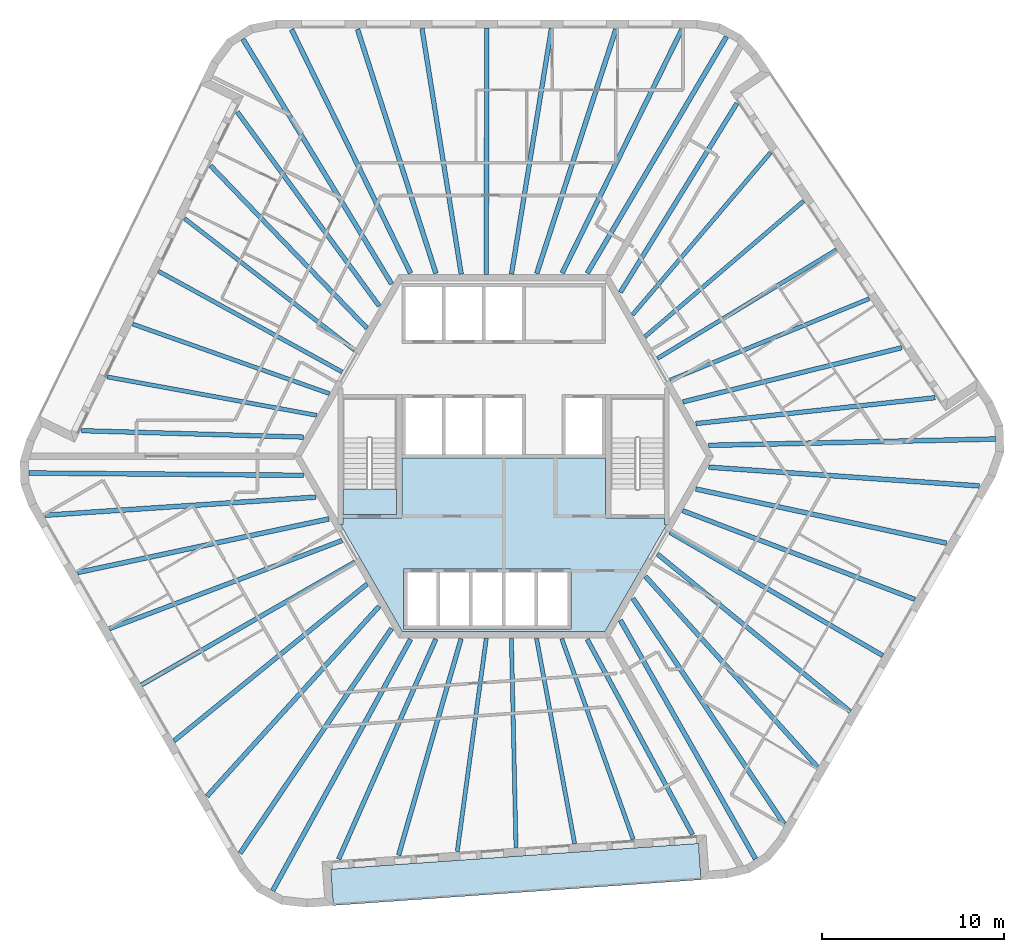
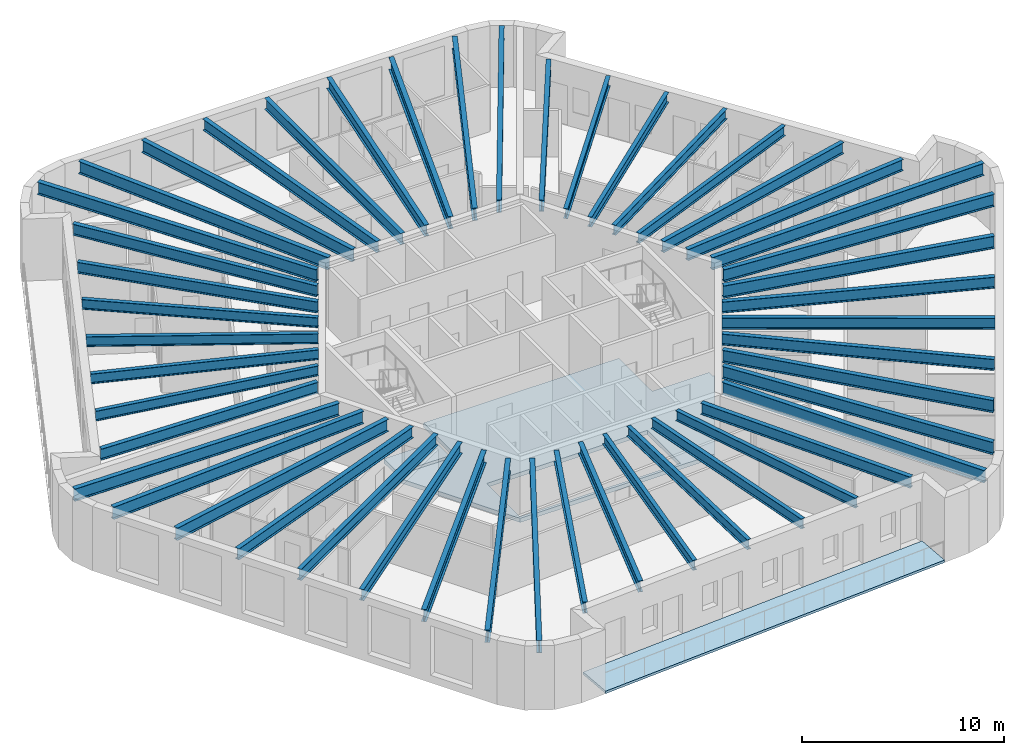
# One storey, part 1 of 11: 48 beams, 3 slabs.
"""IFC4 building model written with IfcOpenShell, lengths in metres."""

from ifc_helpers import new_model, si_unit, direction, frame, origin, origin_2d, place, context, subcontext, project, spatial, polyline, i_section, outline, extrude, material, layer, layer_set, material_profile, profile_set, type_object, element, save


model = new_model("IFC4")

# Units and contexts
model_context = context("Model", 3, precision=1e-05, world=origin(), true_north=direction((0.0, 1.0)))
body_context = subcontext(model_context, "Body", "Model", "MODEL_VIEW")
ifc_project = project(units=[si_unit("LENGTHUNIT", "METRE"), si_unit("AREAUNIT", "SQUARE_METRE"), si_unit("VOLUMEUNIT", "CUBIC_METRE"), si_unit("PLANEANGLEUNIT", "RADIAN"), si_unit("MASSUNIT", "GRAM", prefix="KILO")], contexts=[model_context])

# Site, building, storey
site_placement = place(None, origin())
site = spatial("IfcSite", under=ifc_project, at=site_placement, CompositionType="ELEMENT")
building_placement = place(site_placement, origin())
building = spatial("IfcBuilding", under=site, at=building_placement, Name="Tarnside Tower", CompositionType="ELEMENT")
storey_placement = place(building_placement, frame((0.0, 0.0, 357.300048828125)))
storey = spatial("IfcBuildingStorey", under=building, at=storey_placement, Name="L86", CompositionType="ELEMENT", Elevation=357.300048828125)

# Beams
ifc_material_1 = material(Name="Steel S355", Category="steel")
ifc_material_profile_1 = material_profile(ifc_material_1, i_section(OverallWidth=0.228271484375, OverallDepth=0.607666015625, WebThickness=0.010986328125, FlangeThickness=0.017333984375, FilletRadius=0.0126953125, at=origin_2d()), Name="UB 610x229x113")
ifc_profile_set_1 = profile_set([ifc_material_profile_1], Name="Steel S355")
beam_type_1 = type_object("IfcBeamType", Name="Floor beam UB 610x229x113", PredefinedType="BEAM", material=ifc_profile_set_1)
beam_1_placement = place(storey_placement, frame((-17.5537109375, 13.079345703125, 3.446044921875), z_axis=(0.790645071634, -0.612274750991, 0.0), x_axis=(0.612274750991, 0.790645071634, 0.0)))
element("IfcBeam", 1, at=beam_1_placement, inside=storey, type_object=beam_type_1, Name="Floor beam F2.03", PredefinedType="BEAM", context=body_context, shape_type="SweptSolid", body=[
    extrude(i_section(OverallWidth=0.228271484375, OverallDepth=0.607666015625, WebThickness=0.010986328125, FlangeThickness=0.017333984375, FilletRadius=0.0126953125, at=origin_2d()), origin(), (0.0, 0.0, 1.0), 11.829833984375),
])
beam_2_placement = place(storey_placement, frame((-18.98974609375, 10.1787109375, 3.446044921875), z_axis=(0.876798859106, -0.480857318412, 0.0), x_axis=(0.480857318412, 0.876798859106, 0.0)))
element("IfcBeam", 2, at=beam_2_placement, inside=storey, type_object=beam_type_1, Name="Floor beam F2.04", PredefinedType="BEAM", context=body_context, shape_type="SweptSolid", body=[
    extrude(i_section(OverallWidth=0.228271484375, OverallDepth=0.607666015625, WebThickness=0.010986328125, FlangeThickness=0.017333984375, FilletRadius=0.0126953125, at=origin_2d()), origin(), (0.0, 0.0, 1.0), 11.517578125),
])
beam_3_placement = place(storey_placement, frame((-20.408203125, 7.27099609375, 3.446044921875), z_axis=(0.942835979757, -0.33325713087, 0.0), x_axis=(0.33325713087, 0.942835979757, 0.0)))
element("IfcBeam", 3, at=beam_3_placement, inside=storey, type_object=beam_type_1, Name="Floor beam F2.05", PredefinedType="BEAM", context=body_context, shape_type="SweptSolid", body=[
    extrude(i_section(OverallWidth=0.228271484375, OverallDepth=0.607666015625, WebThickness=0.010986328125, FlangeThickness=0.017333984375, FilletRadius=0.0126953125, at=origin_2d()), origin(), (0.0, 0.0, 1.0), 11.4833984375),
])
beam_4_placement = place(storey_placement, frame((-21.80517578125, 4.3642578125, 3.446044921875), z_axis=(0.983583368825, -0.180454306048, 0.0), x_axis=(0.180454306048, 0.983583368825, 0.0)))
element("IfcBeam", 4, at=beam_4_placement, inside=storey, type_object=beam_type_1, Name="Floor beam F2.06", PredefinedType="BEAM", context=body_context, shape_type="SweptSolid", body=[
    extrude(i_section(OverallWidth=0.228271484375, OverallDepth=0.607666015625, WebThickness=0.010986328125, FlangeThickness=0.017333984375, FilletRadius=0.0126953125, at=origin_2d()), origin(), (0.0, 0.0, 1.0), 11.706787109375),
])
beam_5_placement = place(storey_placement, frame((-2.550048828125, -21.74169921875, 3.446044921875), z_axis=(0.134905991625, 0.990858402308, 0.0), x_axis=(-0.990858402308, 0.134905991625, 0.0)))
element("IfcBeam", 5, at=beam_5_placement, inside=storey, type_object=beam_type_1, Name="Floor beam F4.03", PredefinedType="BEAM", context=body_context, shape_type="SweptSolid", body=[
    extrude(i_section(OverallWidth=0.228271484375, OverallDepth=0.607666015625, WebThickness=0.010986328125, FlangeThickness=0.017333984375, FilletRadius=0.0126953125, at=origin_2d()), origin(), (0.0, 0.0, 1.0), 11.830078125),
])
beam_6_placement = place(storey_placement, frame((0.6796875, -21.53515625, 3.446044921875), z_axis=(-0.021959678074, 0.999758857195, 0.0), x_axis=(-0.999758857195, -0.021959678074, 0.0)))
element("IfcBeam", 6, at=beam_6_placement, inside=storey, type_object=beam_type_1, Name="Floor beam F4.04", PredefinedType="BEAM", context=body_context, shape_type="SweptSolid", body=[
    extrude(i_section(OverallWidth=0.228271484375, OverallDepth=0.607666015625, WebThickness=0.010986328125, FlangeThickness=0.017333984375, FilletRadius=0.0126953125, at=origin_2d()), origin(), (0.0, 0.0, 1.0), 11.517822265625),
])
beam_7_placement = place(storey_placement, frame((3.9072265625, -21.3095703125, 3.446044921875), z_axis=(-0.182818550439, 0.983146671466, 0.0), x_axis=(-0.983146671466, -0.182818550439, 0.0)))
element("IfcBeam", 7, at=beam_7_placement, inside=storey, type_object=beam_type_1, Name="Floor beam F4.05", PredefinedType="BEAM", context=body_context, shape_type="SweptSolid", body=[
    extrude(i_section(OverallWidth=0.228271484375, OverallDepth=0.607666015625, WebThickness=0.010986328125, FlangeThickness=0.017333984375, FilletRadius=0.0126953125, at=origin_2d()), origin(), (0.0, 0.0, 1.0), 11.4833984375),
])
beam_8_placement = place(storey_placement, frame((7.123046875, -21.06591796875, 3.446044921875), z_axis=(-0.335506617396, 0.94203784939, 0.0), x_axis=(-0.94203784939, -0.335506617396, 0.0)))
element("IfcBeam", 8, at=beam_8_placement, inside=storey, type_object=beam_type_1, Name="Floor beam F4.06", PredefinedType="BEAM", context=body_context, shape_type="SweptSolid", body=[
    extrude(i_section(OverallWidth=0.228271484375, OverallDepth=0.607666015625, WebThickness=0.010986328125, FlangeThickness=0.017333984375, FilletRadius=0.0126953125, at=origin_2d()), origin(), (0.0, 0.0, 1.0), 11.706787109375),
])
beam_9_placement = place(storey_placement, frame((20.10400390625, 8.662353515625, 3.446044921875), z_axis=(-0.925563720848, -0.378591862895, 0.0), x_axis=(0.378591862895, -0.925563720848, 0.0)))
element("IfcBeam", 9, at=beam_9_placement, inside=storey, type_object=beam_type_1, Name="Floor beam F6.03", PredefinedType="BEAM", context=body_context, shape_type="SweptSolid", body=[
    extrude(i_section(OverallWidth=0.228271484375, OverallDepth=0.607666015625, WebThickness=0.010986328125, FlangeThickness=0.017333984375, FilletRadius=0.0126953125, at=origin_2d()), origin(), (0.0, 0.0, 1.0), 11.830078125),
])
beam_10_placement = place(storey_placement, frame((18.31005859375, 11.356201171875, 3.446044921875), z_axis=(-0.854838892612, -0.518893503214, 0.0), x_axis=(0.518893503214, -0.854838892612, 0.0)))
element("IfcBeam", 10, at=beam_10_placement, inside=storey, type_object=beam_type_1, Name="Floor beam F6.04", PredefinedType="BEAM", context=body_context, shape_type="SweptSolid", body=[
    extrude(i_section(OverallWidth=0.228271484375, OverallDepth=0.607666015625, WebThickness=0.010986328125, FlangeThickness=0.017333984375, FilletRadius=0.0126953125, at=origin_2d()), origin(), (0.0, 0.0, 1.0), 11.517822265625),
])
beam_11_placement = place(storey_placement, frame((16.5009765625, 14.03857421875, 3.446044921875), z_axis=(-0.760013955451, -0.649906752942, 0.0), x_axis=(0.649906752942, -0.760013955451, 0.0)))
element("IfcBeam", 11, at=beam_11_placement, inside=storey, type_object=beam_type_1, Name="Floor beam F6.05", PredefinedType="BEAM", context=body_context, shape_type="SweptSolid", body=[
    extrude(i_section(OverallWidth=0.228271484375, OverallDepth=0.607666015625, WebThickness=0.010986328125, FlangeThickness=0.017333984375, FilletRadius=0.0126953125, at=origin_2d()), origin(), (0.0, 0.0, 1.0), 11.4833984375),
])
beam_12_placement = place(storey_placement, frame((14.68212890625, 16.70166015625, 3.446044921875), z_axis=(-0.648070250912, -0.761580560337, 0.0), x_axis=(0.761580560337, -0.648070250912, 0.0)))
element("IfcBeam", 12, at=beam_12_placement, inside=storey, type_object=beam_type_1, Name="Floor beam F6.06", PredefinedType="BEAM", context=body_context, shape_type="SweptSolid", body=[
    extrude(i_section(OverallWidth=0.228271484375, OverallDepth=0.607666015625, WebThickness=0.010986328125, FlangeThickness=0.017333984375, FilletRadius=0.0126953125, at=origin_2d()), origin(), (0.0, 0.0, 1.0), 11.70703125),
])
ifc_material_profile_2 = material_profile(ifc_material_1, i_section(OverallWidth=0.2529296875, OverallDepth=0.677978515625, WebThickness=0.01171875, FlangeThickness=0.01611328125, FilletRadius=0.01513671875, at=origin_2d()), Name="UB 686x254x125")
ifc_profile_set_2 = profile_set([ifc_material_profile_2], Name="Steel S355")
beam_type_2 = type_object("IfcBeamType", Name="Floor beam UB 686x254x125", PredefinedType="BEAM", material=ifc_profile_set_2)
beam_13_placement = place(storey_placement, frame((2.628662109375, 23.5302734375, 3.410888671875), z_axis=(-0.160646508519, -0.987012005652, 0.0), x_axis=(0.987012005652, -0.160646508519, 0.0)))
element("IfcBeam", 13, at=beam_13_placement, inside=storey, type_object=beam_type_2, Name="Floor beam F1.03", PredefinedType="BEAM", context=body_context, shape_type="SweptSolid", body=[
    extrude(i_section(OverallWidth=0.2529296875, OverallDepth=0.677978515625, WebThickness=0.01171875, FlangeThickness=0.01611328125, FilletRadius=0.01513671875, at=origin_2d()), origin(), (0.0, 0.0, 1.0), 13.688232421875),
])
beam_14_placement = place(storey_placement, frame((-0.931884765625, 23.550048828125, 3.410888671875), z_axis=(-0.001441413973, -0.999998961162, 0.0), x_axis=(0.999998961162, -0.001441413973, 0.0)))
element("IfcBeam", 14, at=beam_14_placement, inside=storey, type_object=beam_type_2, Name="Floor beam F1.04", PredefinedType="BEAM", context=body_context, shape_type="SweptSolid", body=[
    extrude(i_section(OverallWidth=0.2529296875, OverallDepth=0.677978515625, WebThickness=0.01171875, FlangeThickness=0.01611328125, FilletRadius=0.01513671875, at=origin_2d()), origin(), (0.0, 0.0, 1.0), 13.550048828125),
])
beam_15_placement = place(storey_placement, frame((-4.492431640625, 23.5302734375, 3.410888671875), z_axis=(0.157881934136, -0.987457996511, 0.0), x_axis=(0.987457996511, 0.157881934136, 0.0)))
element("IfcBeam", 15, at=beam_15_placement, inside=storey, type_object=beam_type_2, Name="Floor beam F1.05", PredefinedType="BEAM", context=body_context, shape_type="SweptSolid", body=[
    extrude(i_section(OverallWidth=0.2529296875, OverallDepth=0.677978515625, WebThickness=0.01171875, FlangeThickness=0.01611328125, FilletRadius=0.01513671875, at=origin_2d()), origin(), (0.0, 0.0, 1.0), 13.68212890625),
])
beam_16_placement = place(storey_placement, frame((-14.657470703125, 18.94580078125, 3.410888671875), z_axis=(0.590284711171, -0.807195118765, 0.0), x_axis=(0.807195118765, 0.590284711171, 0.0)))
element("IfcBeam", 16, at=beam_16_placement, inside=storey, type_object=beam_type_2, Name="Floor beam F2.01", PredefinedType="BEAM", context=body_context, shape_type="SweptSolid", body=[
    extrude(i_section(OverallWidth=0.2529296875, OverallDepth=0.677978515625, WebThickness=0.01171875, FlangeThickness=0.01611328125, FilletRadius=0.01513671875, at=origin_2d()), origin(), (0.0, 0.0, 1.0), 13.23974609375),
])
beam_17_placement = place(storey_placement, frame((-16.119873046875, 15.980224609375, 3.410888671875), z_axis=(0.693349119992, -0.720601830283, 0.0), x_axis=(0.720601830283, 0.693349119992, 0.0)))
element("IfcBeam", 17, at=beam_17_placement, inside=storey, type_object=beam_type_2, Name="Floor beam F2.02", PredefinedType="BEAM", context=body_context, shape_type="SweptSolid", body=[
    extrude(i_section(OverallWidth=0.2529296875, OverallDepth=0.677978515625, WebThickness=0.01171875, FlangeThickness=0.01611328125, FilletRadius=0.01513671875, at=origin_2d()), origin(), (0.0, 0.0, 1.0), 12.3984375),
])
beam_18_placement = place(storey_placement, frame((-23.22998046875, 1.406005859375, 3.410888671875), z_axis=(0.99958400974, -0.028841072664, 0.0), x_axis=(0.028841072664, 0.99958400974, 0.0)))
element("IfcBeam", 18, at=beam_18_placement, inside=storey, type_object=beam_type_2, Name="Floor beam F2.07", PredefinedType="BEAM", context=body_context, shape_type="SweptSolid", body=[
    extrude(i_section(OverallWidth=0.2529296875, OverallDepth=0.677978515625, WebThickness=0.01171875, FlangeThickness=0.01611328125, FilletRadius=0.01513671875, at=origin_2d()), origin(), (0.0, 0.0, 1.0), 12.215087890625),
])
beam_19_placement = place(storey_placement, frame((-21.692138671875, -9.48876953125, 3.410888671875), z_axis=(0.935097216102, 0.354391304124, 0.0), x_axis=(-0.354391304124, 0.935097216102, 0.0)))
element("IfcBeam", 19, at=beam_19_placement, inside=storey, type_object=beam_type_2, Name="Floor beam F3.03", PredefinedType="BEAM", context=body_context, shape_type="SweptSolid", body=[
    extrude(i_section(OverallWidth=0.2529296875, OverallDepth=0.677978515625, WebThickness=0.01171875, FlangeThickness=0.01611328125, FilletRadius=0.01513671875, at=origin_2d()), origin(), (0.0, 0.0, 1.0), 13.6884765625),
])
beam_20_placement = place(storey_placement, frame((-19.928955078125, -12.58203125, 3.410888671875), z_axis=(0.866745672107, 0.49875037833, 0.0), x_axis=(-0.49875037833, 0.866745672107, 0.0)))
element("IfcBeam", 20, at=beam_20_placement, inside=storey, type_object=beam_type_2, Name="Floor beam F3.04", PredefinedType="BEAM", context=body_context, shape_type="SweptSolid", body=[
    extrude(i_section(OverallWidth=0.2529296875, OverallDepth=0.677978515625, WebThickness=0.01171875, FlangeThickness=0.01611328125, FilletRadius=0.01513671875, at=origin_2d()), origin(), (0.0, 0.0, 1.0), 13.550048828125),
])
beam_21_placement = place(storey_placement, frame((-18.131591796875, -15.65576171875, 3.410888671875), z_axis=(0.77622369633, 0.630457590371, 0.0), x_axis=(-0.630457590371, 0.77622369633, 0.0)))
element("IfcBeam", 21, at=beam_21_placement, inside=storey, type_object=beam_type_2, Name="Floor beam F3.05", PredefinedType="BEAM", context=body_context, shape_type="SweptSolid", body=[
    extrude(i_section(OverallWidth=0.2529296875, OverallDepth=0.677978515625, WebThickness=0.01171875, FlangeThickness=0.01611328125, FilletRadius=0.01513671875, at=origin_2d()), origin(), (0.0, 0.0, 1.0), 13.68212890625),
])
beam_22_placement = place(storey_placement, frame((-9.078857421875, -22.16650390625, 3.410888671875), z_axis=(0.403913038749, 0.914797385834, 0.0), x_axis=(-0.914797385834, 0.403913038749, 0.0)))
element("IfcBeam", 22, at=beam_22_placement, inside=storey, type_object=beam_type_2, Name="Floor beam F4.01", PredefinedType="BEAM", context=body_context, shape_type="SweptSolid", body=[
    extrude(i_section(OverallWidth=0.2529296875, OverallDepth=0.677978515625, WebThickness=0.01171875, FlangeThickness=0.01611328125, FilletRadius=0.01513671875, at=origin_2d()), origin(), (0.0, 0.0, 1.0), 13.239501953125),
])
beam_23_placement = place(storey_placement, frame((-5.779296875, -21.9501953125, 3.410888671875), z_axis=(0.277391022539, 0.960757108022, 0.0), x_axis=(-0.960757108022, 0.277391022539, 0.0)))
element("IfcBeam", 23, at=beam_23_placement, inside=storey, type_object=beam_type_2, Name="Floor beam F4.02", PredefinedType="BEAM", context=body_context, shape_type="SweptSolid", body=[
    extrude(i_section(OverallWidth=0.2529296875, OverallDepth=0.677978515625, WebThickness=0.01171875, FlangeThickness=0.01611328125, FilletRadius=0.01513671875, at=origin_2d()), origin(), (0.0, 0.0, 1.0), 12.3984375),
])
beam_24_placement = place(storey_placement, frame((10.3974609375, -20.82080078125, 3.410888671875), z_axis=(-0.474802871876, 0.880092172933, 0.0), x_axis=(-0.880092172933, -0.474802871876, 0.0)))
element("IfcBeam", 24, at=beam_24_placement, inside=storey, type_object=beam_type_2, Name="Floor beam F4.07", PredefinedType="BEAM", context=body_context, shape_type="SweptSolid", body=[
    extrude(i_section(OverallWidth=0.2529296875, OverallDepth=0.677978515625, WebThickness=0.01171875, FlangeThickness=0.01611328125, FilletRadius=0.01513671875, at=origin_2d()), origin(), (0.0, 0.0, 1.0), 12.215087890625),
])
beam_25_placement = place(storey_placement, frame((19.0634765625, -14.04150390625, 3.410888671875), z_axis=(-0.774448963371, 0.632636390934, 0.0), x_axis=(-0.632636390934, -0.774448963371, 0.0)))
element("IfcBeam", 25, at=beam_25_placement, inside=storey, type_object=beam_type_2, Name="Floor beam F5.03", PredefinedType="BEAM", context=body_context, shape_type="SweptSolid", body=[
    extrude(i_section(OverallWidth=0.2529296875, OverallDepth=0.677978515625, WebThickness=0.01171875, FlangeThickness=0.01611328125, FilletRadius=0.01513671875, at=origin_2d()), origin(), (0.0, 0.0, 1.0), 13.688232421875),
])
beam_26_placement = place(storey_placement, frame((20.86083984375, -10.968017578125, 3.410888671875), z_axis=(-0.865300844595, 0.501252878639, 0.0), x_axis=(-0.501252878639, -0.865300844595, 0.0)))
element("IfcBeam", 26, at=beam_26_placement, inside=storey, type_object=beam_type_2, Name="Floor beam F5.04", PredefinedType="BEAM", context=body_context, shape_type="SweptSolid", body=[
    extrude(i_section(OverallWidth=0.2529296875, OverallDepth=0.677978515625, WebThickness=0.01171875, FlangeThickness=0.01611328125, FilletRadius=0.01513671875, at=origin_2d()), origin(), (0.0, 0.0, 1.0), 13.550048828125),
])
beam_27_placement = place(storey_placement, frame((22.6240234375, -7.87451171875, 3.410888671875), z_axis=(-0.934104171069, 0.357000556851, 0.0), x_axis=(-0.357000556851, -0.934104171069, 0.0)))
element("IfcBeam", 27, at=beam_27_placement, inside=storey, type_object=beam_type_2, Name="Floor beam F5.05", PredefinedType="BEAM", context=body_context, shape_type="SweptSolid", body=[
    extrude(i_section(OverallWidth=0.2529296875, OverallDepth=0.677978515625, WebThickness=0.01171875, FlangeThickness=0.01611328125, FilletRadius=0.01513671875, at=origin_2d()), origin(), (0.0, 0.0, 1.0), 13.68212890625),
])
beam_28_placement = place(storey_placement, frame((23.736083984375, 3.220703125, 3.410888671875), z_axis=(-0.994194525567, -0.107597608396, 0.0), x_axis=(0.107597608396, -0.994194525567, 0.0)))
element("IfcBeam", 28, at=beam_28_placement, inside=storey, type_object=beam_type_2, Name="Floor beam F6.01", PredefinedType="BEAM", context=body_context, shape_type="SweptSolid", body=[
    extrude(i_section(OverallWidth=0.2529296875, OverallDepth=0.677978515625, WebThickness=0.01171875, FlangeThickness=0.01611328125, FilletRadius=0.01513671875, at=origin_2d()), origin(), (0.0, 0.0, 1.0), 13.23974609375),
])
beam_29_placement = place(storey_placement, frame((21.899169921875, 5.969970703125, 3.410888671875), z_axis=(-0.970734945262, -0.240153421892, 0.0), x_axis=(0.240153421892, -0.970734945262, 0.0)))
element("IfcBeam", 29, at=beam_29_placement, inside=storey, type_object=beam_type_2, Name="Floor beam F6.02", PredefinedType="BEAM", context=body_context, shape_type="SweptSolid", body=[
    extrude(i_section(OverallWidth=0.2529296875, OverallDepth=0.677978515625, WebThickness=0.01171875, FlangeThickness=0.01611328125, FilletRadius=0.01513671875, at=origin_2d()), origin(), (0.0, 0.0, 1.0), 12.3984375),
])
beam_30_placement = place(storey_placement, frame((12.83251953125, 19.414794921875, 3.410888671875), z_axis=(-0.524775269126, -0.851240810179, 0.0), x_axis=(0.851240810179, -0.524775269126, 0.0)))
element("IfcBeam", 30, at=beam_30_placement, inside=storey, type_object=beam_type_2, Name="Floor beam F6.07", PredefinedType="BEAM", context=body_context, shape_type="SweptSolid", body=[
    extrude(i_section(OverallWidth=0.2529296875, OverallDepth=0.677978515625, WebThickness=0.01171875, FlangeThickness=0.01611328125, FilletRadius=0.01513671875, at=origin_2d()), origin(), (0.0, 0.0, 1.0), 12.215087890625),
])
ifc_material_profile_3 = material_profile(ifc_material_1, i_section(OverallWidth=0.26513671875, OverallDepth=0.75390625, WebThickness=0.0126953125, FlangeThickness=0.017578125, FilletRadius=0.0166015625, at=origin_2d()), Name="UB 762x267x147")
ifc_profile_set_3 = profile_set([ifc_material_profile_3], Name="Steel S355")
beam_type_3 = type_object("IfcBeamType", Name="Floor beam UB 762x267x147", PredefinedType="BEAM", material=ifc_profile_set_3)
beam_31_placement = place(storey_placement, frame((9.805419921875, 23.478271484375, 3.373046875), z_axis=(-0.441038082116, -0.897488389966, 0.0), x_axis=(0.897488389966, -0.441038082116, 0.0)))
element("IfcBeam", 31, at=beam_31_placement, inside=storey, type_object=beam_type_3, Name="Floor beam F1.01", PredefinedType="BEAM", context=body_context, shape_type="SweptSolid", body=[
    extrude(i_section(OverallWidth=0.26513671875, OverallDepth=0.75390625, WebThickness=0.0126953125, FlangeThickness=0.017578125, FilletRadius=0.0166015625, at=origin_2d()), origin(), (0.0, 0.0, 1.0), 14.937744140625),
])
beam_32_placement = place(storey_placement, frame((6.177001953125, 23.492919921875, 3.373046875), z_axis=(-0.308308550255, -0.951286412097, 0.0), x_axis=(0.951286412097, -0.308308550255, 0.0)))
element("IfcBeam", 32, at=beam_32_placement, inside=storey, type_object=beam_type_3, Name="Floor beam F1.02", PredefinedType="BEAM", context=body_context, shape_type="SweptSolid", body=[
    extrude(i_section(OverallWidth=0.26513671875, OverallDepth=0.75390625, WebThickness=0.0126953125, FlangeThickness=0.017578125, FilletRadius=0.0166015625, at=origin_2d()), origin(), (0.0, 0.0, 1.0), 14.123779296875),
])
beam_33_placement = place(storey_placement, frame((-8.041015625, 23.492919921875, 3.373046875), z_axis=(0.305833892652, -0.952084885977, 0.0), x_axis=(0.952084885977, 0.305833892652, 0.0)))
element("IfcBeam", 33, at=beam_33_placement, inside=storey, type_object=beam_type_3, Name="Floor beam F1.06", PredefinedType="BEAM", context=body_context, shape_type="SweptSolid", body=[
    extrude(i_section(OverallWidth=0.26513671875, OverallDepth=0.75390625, WebThickness=0.0126953125, FlangeThickness=0.017578125, FilletRadius=0.0166015625, at=origin_2d()), origin(), (0.0, 0.0, 1.0), 14.112060546875),
])
beam_34_placement = place(storey_placement, frame((-11.66943359375, 23.47802734375, 3.373046875), z_axis=(0.438980621391, -0.898496529789, 0.0), x_axis=(0.898496529789, 0.438980621391, 0.0)))
element("IfcBeam", 34, at=beam_34_placement, inside=storey, type_object=beam_type_3, Name="Floor beam F1.07", PredefinedType="BEAM", context=body_context, shape_type="SweptSolid", body=[
    extrude(i_section(OverallWidth=0.26513671875, OverallDepth=0.75390625, WebThickness=0.0126953125, FlangeThickness=0.017578125, FilletRadius=0.0166015625, at=origin_2d()), origin(), (0.0, 0.0, 1.0), 14.92041015625),
])
beam_35_placement = place(storey_placement, frame((-14.346435546875, 22.95361328125, 3.373046875), z_axis=(0.519050027983, -0.854743861312, 0.0), x_axis=(0.854743861312, 0.519050027983, 0.0)))
element("IfcBeam", 35, at=beam_35_placement, inside=storey, type_object=beam_type_3, Name="Floor beam C1", PredefinedType="BEAM", context=body_context, shape_type="SweptSolid", body=[
    extrude(i_section(OverallWidth=0.26513671875, OverallDepth=0.75390625, WebThickness=0.0126953125, FlangeThickness=0.017578125, FilletRadius=0.0166015625, at=origin_2d()), origin(), (0.0, 0.0, 1.0), 15.77294921875),
])
beam_36_placement = place(storey_placement, frame((-26.115234375, -0.922607421875, 3.373046875), z_axis=(0.99996409039, -0.008474546068, 0.0), x_axis=(0.008474546068, 0.99996409039, 0.0)))
element("IfcBeam", 36, at=beam_36_placement, inside=storey, type_object=beam_type_3, Name="Floor beam C2", PredefinedType="BEAM", context=body_context, shape_type="SweptSolid", body=[
    extrude(i_section(OverallWidth=0.26513671875, OverallDepth=0.75390625, WebThickness=0.0126953125, FlangeThickness=0.017578125, FilletRadius=0.0166015625, at=origin_2d()), origin(), (0.0, 0.0, 1.0), 15.095703125),
])
beam_37_placement = place(storey_placement, frame((-25.2353515625, -3.247314453125, 3.373046875), z_axis=(0.997767622241, 0.066781524448, 0.0), x_axis=(-0.066781524448, 0.997767622241, 0.0)))
element("IfcBeam", 37, at=beam_37_placement, inside=storey, type_object=beam_type_3, Name="Floor beam F3.01", PredefinedType="BEAM", context=body_context, shape_type="SweptSolid", body=[
    extrude(i_section(OverallWidth=0.26513671875, OverallDepth=0.75390625, WebThickness=0.0126953125, FlangeThickness=0.017578125, FilletRadius=0.0166015625, at=origin_2d()), origin(), (0.0, 0.0, 1.0), 14.937744140625),
])
beam_38_placement = place(storey_placement, frame((-23.43408203125, -6.39697265625, 3.373046875), z_axis=(0.977992742368, 0.208638912658, 0.0), x_axis=(-0.208638912658, 0.977992742368, 0.0)))
element("IfcBeam", 38, at=beam_38_placement, inside=storey, type_object=beam_type_3, Name="Floor beam F3.02", PredefinedType="BEAM", context=body_context, shape_type="SweptSolid", body=[
    extrude(i_section(OverallWidth=0.26513671875, OverallDepth=0.75390625, WebThickness=0.0126953125, FlangeThickness=0.017578125, FilletRadius=0.0166015625, at=origin_2d()), origin(), (0.0, 0.0, 1.0), 14.123779296875),
])
beam_39_placement = place(storey_placement, frame((-16.324951171875, -18.710205078125, 3.373046875), z_axis=(0.671613814762, 0.740901399526, 0.0), x_axis=(-0.740901399526, 0.671613814762, 0.0)))
element("IfcBeam", 39, at=beam_39_placement, inside=storey, type_object=beam_type_3, Name="Floor beam F3.06", PredefinedType="BEAM", context=body_context, shape_type="SweptSolid", body=[
    extrude(i_section(OverallWidth=0.26513671875, OverallDepth=0.75390625, WebThickness=0.0126953125, FlangeThickness=0.017578125, FilletRadius=0.0166015625, at=origin_2d()), origin(), (0.0, 0.0, 1.0), 14.112060546875),
])
beam_40_placement = place(storey_placement, frame((-14.497802734375, -21.84521484375, 3.373046875), z_axis=(0.558632311738, 0.829415420813, 0.0), x_axis=(-0.829415420813, 0.558632311738, 0.0)))
element("IfcBeam", 40, at=beam_40_placement, inside=storey, type_object=beam_type_3, Name="Floor beam F3.07", PredefinedType="BEAM", context=body_context, shape_type="SweptSolid", body=[
    extrude(i_section(OverallWidth=0.26513671875, OverallDepth=0.75390625, WebThickness=0.0126953125, FlangeThickness=0.017578125, FilletRadius=0.0166015625, at=origin_2d()), origin(), (0.0, 0.0, 1.0), 14.920654296875),
])
beam_41_placement = place(storey_placement, frame((-12.705322265625, -23.9013671875, 3.373046875), z_axis=(0.480710922029, 0.876879130463, 0.0), x_axis=(-0.876879130463, 0.480710922029, 0.0)))
element("IfcBeam", 41, at=beam_41_placement, inside=storey, type_object=beam_type_3, Name="Floor beam C3", PredefinedType="BEAM", context=body_context, shape_type="SweptSolid", body=[
    extrude(i_section(OverallWidth=0.26513671875, OverallDepth=0.75390625, WebThickness=0.0126953125, FlangeThickness=0.017578125, FilletRadius=0.0166015625, at=origin_2d()), origin(), (0.0, 0.0, 1.0), 15.77294921875),
])
beam_42_placement = place(storey_placement, frame((13.856689453125, -22.155029296875, 3.373046875), z_axis=(-0.492642822233, 0.870231606931, 0.0), x_axis=(-0.870231606931, -0.492642822233, 0.0)))
element("IfcBeam", 42, at=beam_42_placement, inside=storey, type_object=beam_type_3, Name="Floor beam C4", PredefinedType="BEAM", context=body_context, shape_type="SweptSolid", body=[
    extrude(i_section(OverallWidth=0.26513671875, OverallDepth=0.75390625, WebThickness=0.0126953125, FlangeThickness=0.017578125, FilletRadius=0.0166015625, at=origin_2d()), origin(), (0.0, 0.0, 1.0), 15.095703125),
])
beam_43_placement = place(storey_placement, frame((15.429931640625, -20.23095703125, 3.373046875), z_axis=(-0.556705108381, 0.830710191524, 0.0), x_axis=(-0.830710191524, -0.556705108381, 0.0)))
element("IfcBeam", 43, at=beam_43_placement, inside=storey, type_object=beam_type_3, Name="Floor beam F5.01", PredefinedType="BEAM", context=body_context, shape_type="SweptSolid", body=[
    extrude(i_section(OverallWidth=0.26513671875, OverallDepth=0.75390625, WebThickness=0.0126953125, FlangeThickness=0.017578125, FilletRadius=0.0166015625, at=origin_2d()), origin(), (0.0, 0.0, 1.0), 14.937744140625),
])
beam_44_placement = place(storey_placement, frame((17.257080078125, -17.095947265625, 3.373046875), z_axis=(-0.669693076209, 0.742637989654, 0.0), x_axis=(-0.742637989654, -0.669693076209, 0.0)))
element("IfcBeam", 44, at=beam_44_placement, inside=storey, type_object=beam_type_3, Name="Floor beam F5.02", PredefinedType="BEAM", context=body_context, shape_type="SweptSolid", body=[
    extrude(i_section(OverallWidth=0.26513671875, OverallDepth=0.75390625, WebThickness=0.0126953125, FlangeThickness=0.017578125, FilletRadius=0.0166015625, at=origin_2d()), origin(), (0.0, 0.0, 1.0), 14.1240234375),
])
beam_45_placement = place(storey_placement, frame((24.365966796875, -4.78271484375, 3.373046875), z_axis=(-0.977446315909, 0.211184041811, 0.0), x_axis=(-0.211184041811, -0.977446315909, 0.0)))
element("IfcBeam", 45, at=beam_45_placement, inside=storey, type_object=beam_type_3, Name="Floor beam F5.06", PredefinedType="BEAM", context=body_context, shape_type="SweptSolid", body=[
    extrude(i_section(OverallWidth=0.26513671875, OverallDepth=0.75390625, WebThickness=0.0126953125, FlangeThickness=0.017578125, FilletRadius=0.0166015625, at=origin_2d()), origin(), (0.0, 0.0, 1.0), 14.112060546875),
])
beam_46_placement = place(storey_placement, frame((26.16748046875, -1.633056640625, 3.373046875), z_axis=(-0.99760979709, 0.069099151587, 0.0), x_axis=(-0.069099151587, -0.99760979709, 0.0)))
element("IfcBeam", 46, at=beam_46_placement, inside=storey, type_object=beam_type_3, Name="Floor beam F5.07", PredefinedType="BEAM", context=body_context, shape_type="SweptSolid", body=[
    extrude(i_section(OverallWidth=0.26513671875, OverallDepth=0.75390625, WebThickness=0.0126953125, FlangeThickness=0.017578125, FilletRadius=0.0166015625, at=origin_2d()), origin(), (0.0, 0.0, 1.0), 14.920654296875),
])
beam_47_placement = place(storey_placement, frame((27.0517578125, 0.947509765625, 3.373046875), z_axis=(-0.999755015591, -0.022133883549, 0.0), x_axis=(0.022133883549, -0.999755015591, 0.0)))
element("IfcBeam", 47, at=beam_47_placement, inside=storey, type_object=beam_type_3, Name="Floor beam C5", PredefinedType="BEAM", context=body_context, shape_type="SweptSolid", body=[
    extrude(i_section(OverallWidth=0.26513671875, OverallDepth=0.75390625, WebThickness=0.0126953125, FlangeThickness=0.017578125, FilletRadius=0.0166015625, at=origin_2d()), origin(), (0.0, 0.0, 1.0), 15.773193359375),
])
beam_48_placement = place(storey_placement, frame((12.258544921875, 23.07763671875, 3.373046875), z_axis=(-0.507326131491, -0.861754139129, 0.0), x_axis=(0.861754139129, -0.507326131491, 0.0)))
element("IfcBeam", 48, at=beam_48_placement, inside=storey, type_object=beam_type_3, Name="Floor beam C6", PredefinedType="BEAM", context=body_context, shape_type="SweptSolid", body=[
    extrude(i_section(OverallWidth=0.26513671875, OverallDepth=0.75390625, WebThickness=0.0126953125, FlangeThickness=0.017578125, FilletRadius=0.0166015625, at=origin_2d()), origin(), (0.0, 0.0, 1.0), 15.095703125),
])

# Slabs
ifc_material_2 = material(Name="Concrete C40/50", Category="concrete")
ifc_layer_1 = layer(ifc_material_2, 0.25)
ifc_layer_set_1 = layer_set([ifc_layer_1], Name="Core slab C40/50")
slab_type_1 = type_object("IfcSlabType", Name="Core slab C40/50", PredefinedType="FLOOR", material=ifc_layer_set_1)
slab_1_placement = place(storey_placement, frame((0.0, 0.0, -0.25)))
element("IfcSlab", 49, at=slab_1_placement, inside=storey, type_object=slab_type_1, Name="L86 core floor slab 3", PredefinedType="FLOOR", context=body_context, shape_type="SweptSolid", body=[
    extrude(outline(polyline([(-8.85009765625, -3.7548828125), (-8.85009765625, -3.39990234375), (-5.89990234375, -3.39990234375), (-5.60009765625, -3.39990234375), (-5.60009765625, -0.10009765625), (5.60009765625, -0.10009765625), (5.60009765625, -3.39990234375), (5.89990234375, -3.39990234375), (8.85009765625, -3.39990234375), (8.85009765625, -3.7548828125), (8.97509765625, -3.7548828125), (5.5712890625, -9.64990234375), (-5.5712890625, -9.64990234375), (-8.97509765625, -3.7548828125), (-8.85009765625, -3.7548828125)]), holes=[polyline([(-5.5, -9.5), (3.699951171875, -9.5), (3.699951171875, -9.300048828125), (3.699951171875, -6.39990234375), (3.699951171875, -6.199951171875), (-5.5, -6.199951171875), (-5.5, -6.39990234375), (-5.5, -9.300048828125), (-5.5, -9.5)])]), origin(), (0.0, 0.0, 1.0), 0.25),
])
slab_2_placement = place(storey_placement, frame((0.0, 0.0, -0.25)))
element("IfcSlab", 50, at=slab_2_placement, inside=storey, type_object=slab_type_1, Name="L86 core floor slab 5", PredefinedType="FLOOR", context=body_context, shape_type="SweptSolid", body=[
    extrude(outline(polyline([(-8.85009765625, -3.199951171875), (-8.85009765625, -1.800048828125), (-5.89990234375, -1.800048828125), (-5.89990234375, -3.199951171875), (-8.85009765625, -3.199951171875)])), origin(), (0.0, 0.0, 1.0), 0.25),
])
ifc_material_3 = material(Name="Timber decking", Category="wood")
ifc_layer_2 = layer(ifc_material_3, 0.0400390625)
ifc_material_4 = material(Name="Concrete C60/75 precast", Category="concrete")
ifc_layer_3 = layer(ifc_material_4, 0.110107421875)
ifc_layer_set_2 = layer_set([ifc_layer_2, ifc_layer_3], Name="Loggia deck 150")
slab_type_2 = type_object("IfcSlabType", Name="Loggia deck 150", PredefinedType="FLOOR", material=ifc_layer_set_2)
slab_3_placement = place(storey_placement, frame((0.0, 0.0, -0.150146484375)))
element("IfcSlab", 51, at=slab_3_placement, inside=storey, type_object=slab_type_2, Name="Loggia deck L86 F4", PredefinedType="FLOOR", context=body_context, shape_type="SweptSolid", body=[
    extrude(outline(polyline([(-9.5107421875, -22.71875), (10.721435546875, -21.303955078125), (10.86083984375, -23.299072265625), (-9.371337890625, -24.7138671875), (-9.5107421875, -22.71875)])), origin(), (0.0, 0.0, 1.0), 0.150146484375),
])

save(model, "model.ifc")
